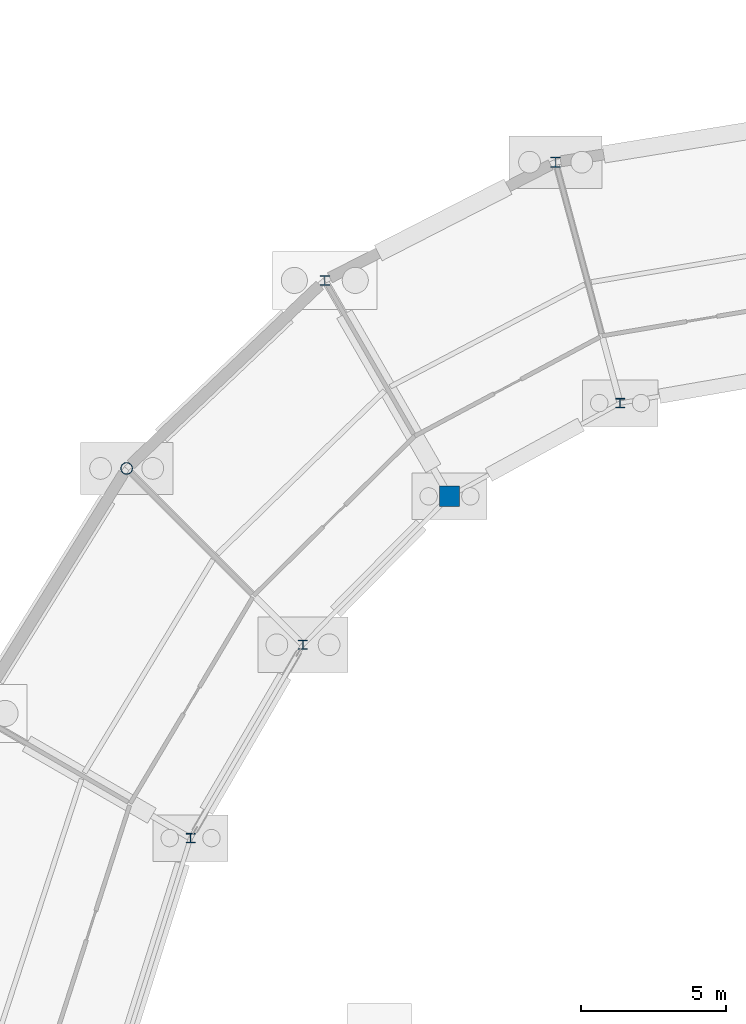
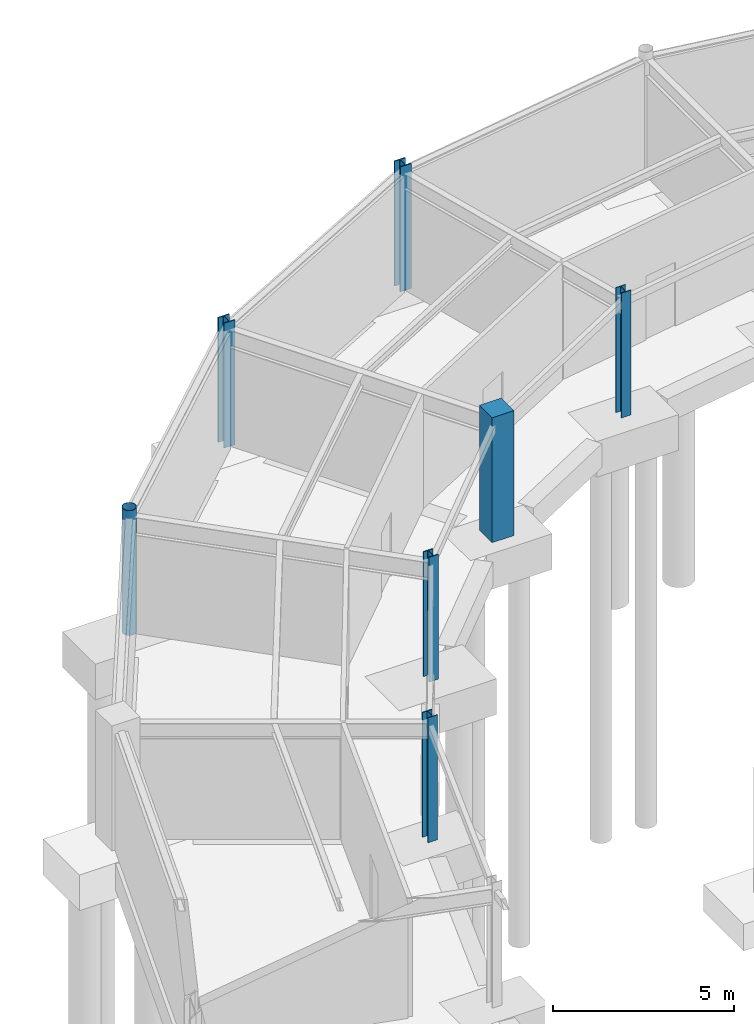
# One storey, part 19 of 58: 7 columns.
"""IFC4 building model written with IfcOpenShell, lengths in metres."""

from ifc_helpers import new_model, si_unit, direction, frame, origin, origin_2d, place, context, subcontext, project, spatial, rectangle, hollow_circle, i_section, extrude, material, material_profile, profile_set, type_object, element, save


model = new_model("IFC4")

# Units and contexts
model_context = context("Model", 3, precision=1e-05, world=origin(), true_north=direction((0.0, 1.0)))
body_context = subcontext(model_context, "Body", "Model", "MODEL_VIEW")
ifc_project = project(units=[si_unit("LENGTHUNIT", "METRE"), si_unit("AREAUNIT", "SQUARE_METRE"), si_unit("VOLUMEUNIT", "CUBIC_METRE"), si_unit("PLANEANGLEUNIT", "RADIAN"), si_unit("MASSUNIT", "GRAM", prefix="KILO")], contexts=[model_context])

# Site, building, storey
site_placement = place(None, origin())
site = spatial("IfcSite", under=ifc_project, at=site_placement, CompositionType="ELEMENT")
building_placement = place(site_placement, origin())
building = spatial("IfcBuilding", under=site, at=building_placement, Name="Karori Crest Natural Sciences Institute", CompositionType="ELEMENT")
storey_placement = place(building_placement, frame((0.0, 0.0, -4.199951171875)))
storey = spatial("IfcBuildingStorey", under=building, at=storey_placement, Name="B1", CompositionType="ELEMENT", Elevation=-4.199951171875)

# Columns
ifc_material_1 = material(Name="Structural steel AS/NZS 3679.1 Grade 350", Category="steel")
ifc_material_profile_1 = material_profile(ifc_material_1, i_section(OverallWidth=0.35009765625, OverallDepth=0.35009765625, WebThickness=0.02001953125, FlangeThickness=0.031982421875, FilletRadius=0.01611328125, at=origin_2d()), Name="350WC280")
ifc_profile_set_1 = profile_set([ifc_material_profile_1], Name="Structural steel AS/NZS 3679.1 Grade 350")
column_type_1 = type_object("IfcColumnType", Name="CT-03", PredefinedType="COLUMN", material=ifc_profile_set_1)
for number, where, z_axis, x_axis, name in (
    (1, (57.85888671875, 89.309814453125, 0.0), (0.0, 0.0, 1.0), (1.0, 0.0, 0.0), "Column C-0125"),
    (2, (49.89990234375, 85.23388671875, 0.0), (0.0, 0.0, 1.0), (1.0, 0.0, 0.0), "Column C-0141"),
):
    element("IfcColumn", number, at=place(storey_placement, frame(where, z_axis=z_axis, x_axis=x_axis)), inside=storey, type_object=column_type_1, Name=name, PredefinedType="COLUMN", context=body_context, shape_type="SweptSolid", body=[
        extrude(i_section(OverallWidth=0.35009765625, OverallDepth=0.35009765625, WebThickness=0.02001953125, FlangeThickness=0.031982421875, FilletRadius=0.01611328125, at=origin_2d()), origin(), (0.0, 0.0, 1.0), 4.199951171875),
    ])
ifc_material_profile_2 = material_profile(ifc_material_1, i_section(OverallWidth=0.31103515625, OverallDepth=0.326904296875, WebThickness=0.015625, FlangeThickness=0.02490234375, FilletRadius=0.01708984375, at=origin_2d()), Name="310UC158")
ifc_profile_set_2 = profile_set([ifc_material_profile_2], Name="Structural steel AS/NZS 3679.1 Grade 350")
column_type_2 = type_object("IfcColumnType", Name="CT-04-IL", PredefinedType="COLUMN", material=ifc_profile_set_2)
for number, where, z_axis, x_axis, name in (
    (3, (60.084716796875, 81.002685546875, 0.0), (0.0, 0.0, 1.0), (1.0, 0.0, 0.0), "Column C-0126"),
    (4, (49.146484375, 72.668701171875, 0.0), (0.0, 0.0, 1.0), (1.0, 0.0, 0.0), "Column C-0158"),
    (5, (45.26904296875, 66.0, 0.0), (0.0, 0.0, 1.0), (1.0, 0.0, 0.0), "Column C-0174"),
):
    element("IfcColumn", number, at=place(storey_placement, frame(where, z_axis=z_axis, x_axis=x_axis)), inside=storey, type_object=column_type_2, Name=name, PredefinedType="COLUMN", context=body_context, shape_type="SweptSolid", body=[
        extrude(i_section(OverallWidth=0.31103515625, OverallDepth=0.326904296875, WebThickness=0.015625, FlangeThickness=0.02490234375, FilletRadius=0.01708984375, at=origin_2d()), origin(), (0.0, 0.0, 1.0), 4.199951171875),
    ])
ifc_material_2 = material(Name="Hollow structural steel AS/NZS 1163 Grade C350", Category="steel")
ifc_material_profile_3 = material_profile(ifc_material_2, hollow_circle(Radius=0.203125, WallThickness=0.0126953125, at=origin_2d()), Name="CHS406.4x12.7")
ifc_profile_set_3 = profile_set([ifc_material_profile_3], Name="Hollow structural steel AS/NZS 1163 Grade C350")
column_type_3 = type_object("IfcColumnType", Name="CT-27", PredefinedType="COLUMN", material=ifc_profile_set_3)
column_1_placement = place(storey_placement, frame((43.0654296875, 78.75, 0.0), z_axis=(0.0, 0.0, 1.0), x_axis=(1.0, 0.0, 0.0)))
element("IfcColumn", 6, at=column_1_placement, inside=storey, type_object=column_type_3, Name="Column C-0157", PredefinedType="COLUMN", context=body_context, shape_type="SweptSolid", body=[
    extrude(hollow_circle(Radius=0.203125, WallThickness=0.0126953125, at=origin_2d()), origin(), (0.0, 0.0, 1.0), 4.199951171875),
])
ifc_material_3 = material(Name="Concrete 50 MPa", Category="concrete")
ifc_material_profile_4 = material_profile(ifc_material_3, rectangle(XDim=0.699951171875, YDim=0.699951171875, at=origin_2d()), Name="RC700x700")
ifc_profile_set_4 = profile_set([ifc_material_profile_4], Name="Concrete 50 MPa")
column_type_4 = type_object("IfcColumnType", Name="CT-29", PredefinedType="COLUMN", material=ifc_profile_set_4)
column_2_placement = place(storey_placement, frame((54.199951171875, 77.785888671875, 0.0), z_axis=(0.0, 0.0, 1.0), x_axis=(1.0, 0.0, 0.0)))
element("IfcColumn", 7, at=column_2_placement, inside=storey, type_object=column_type_4, Name="Column C-0142", PredefinedType="COLUMN", context=body_context, shape_type="SweptSolid", body=[
    extrude(rectangle(XDim=0.699951171875, YDim=0.699951171875, at=origin_2d()), origin(), (0.0, 0.0, 1.0), 4.199951171875),
])

save(model, "model.ifc")
